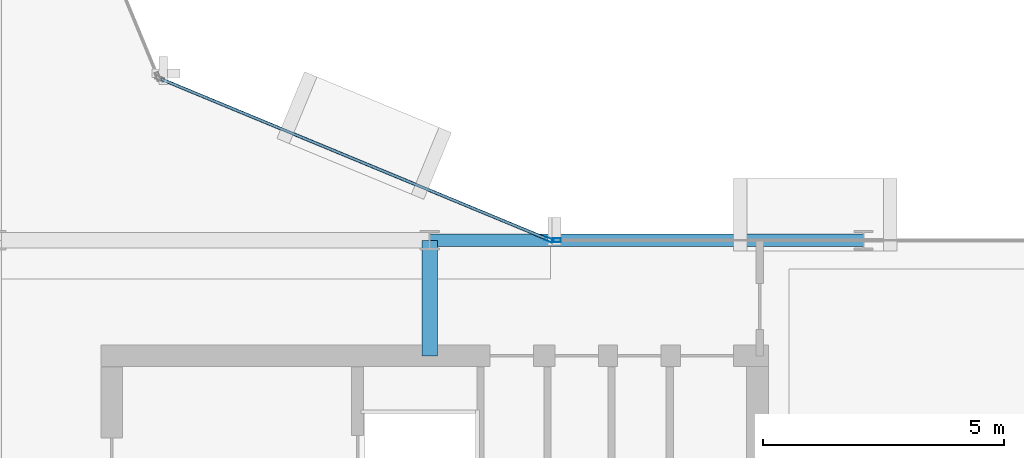
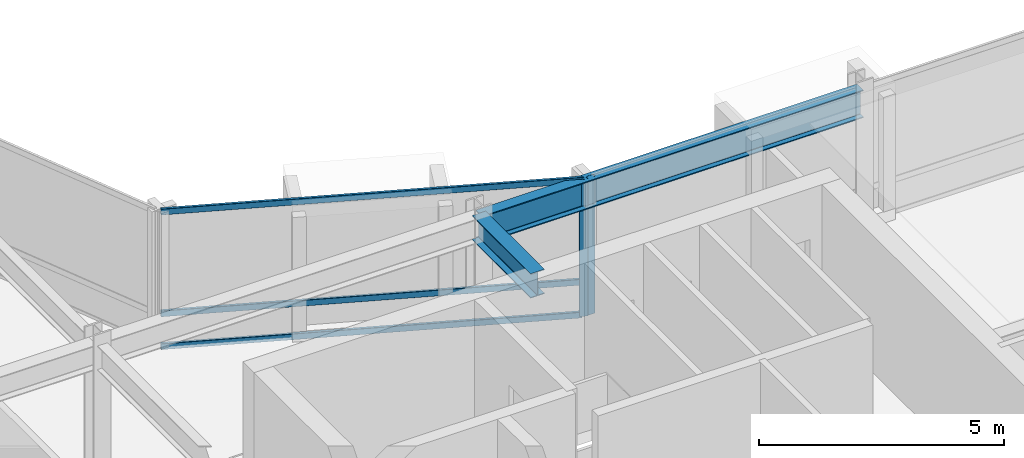
# One storey, part 12 of 27: 5 members, 2 beams, 2 elements without a shape of their own.
"""IFC4 building model written with IfcOpenShell, lengths in metres."""

from ifc_helpers import new_model, si_unit, direction, frame, origin, origin_2d, place, context, subcontext, project, spatial, hollow_rectangle, i_section, extrude, material, layer, layer_set, material_profile, profile_set, type_object, element, aggregate, save


model = new_model("IFC4")

# Units and contexts
model_context = context("Model", 3, precision=1e-05, world=origin(), true_north=direction((0.0, 1.0)))
body_context = subcontext(model_context, "Body", "Model", "MODEL_VIEW")
ifc_project = project(units=[si_unit("LENGTHUNIT", "METRE"), si_unit("AREAUNIT", "SQUARE_METRE"), si_unit("VOLUMEUNIT", "CUBIC_METRE"), si_unit("PLANEANGLEUNIT", "RADIAN"), si_unit("MASSUNIT", "GRAM", prefix="KILO")], contexts=[model_context])

# Site, building, storey
site_placement = place(None, origin())
site = spatial("IfcSite", under=ifc_project, at=site_placement, CompositionType="ELEMENT")
building_placement = place(site_placement, origin())
building = spatial("IfcBuilding", under=site, at=building_placement, Name="Solvaryn Broadcast Tower", CompositionType="ELEMENT")
storey_placement = place(building_placement, frame((0.0, 0.0, 228.39990234375)))
storey = spatial("IfcBuildingStorey", under=building, at=storey_placement, Name="L57", CompositionType="ELEMENT", Elevation=228.39990234375)

# Beams
ifc_material_1 = material(Name="Steel ASTM A992 Grade 50", Category="steel")
ifc_material_profile_1 = material_profile(ifc_material_1, i_section(OverallWidth=0.323974609375, OverallDepth=0.611083984375, WebThickness=0.0126953125, FlangeThickness=0.01904296875, FilletRadius=0.014892578125, at=origin_2d()))
ifc_profile_set_1 = profile_set([ifc_material_profile_1], Name="Steel ASTM A992 Grade 50")
beam_type_1 = type_object("IfcBeamType", Name="BM-B1-W24X104", PredefinedType="BEAM", material=ifc_profile_set_1)
beam_1_placement = place(storey_placement, frame((36.0, 24.60009765625, 3.114501953125), z_axis=(0.0, 1.0, 0.0), x_axis=(-1.0, 0.0, 0.0)))
element("IfcBeam", 1, at=beam_1_placement, inside=storey, type_object=beam_type_1, Name="L57 Core Tie Beam CTE2", PredefinedType="BEAM", context=body_context, shape_type="SweptSolid", body=[
    extrude(i_section(OverallWidth=0.323974609375, OverallDepth=0.611083984375, WebThickness=0.0126953125, FlangeThickness=0.01904296875, FilletRadius=0.014892578125, at=origin_2d()), origin(), (0.0, 0.0, 1.0), 2.39990234375),
])
ifc_material_2 = material(Name="Steel ASTM A992 Grade 50", Category="steel")
ifc_material_profile_2 = material_profile(ifc_material_2, i_section(OverallWidth=0.256103515625, OverallDepth=0.693115234375, WebThickness=0.014404296875, FlangeThickness=0.023681640625, FilletRadius=0.01611328125, at=origin_2d()))
ifc_profile_set_2 = profile_set([ifc_material_profile_2], Name="Steel ASTM A992 Grade 50")
beam_type_2 = type_object("IfcBeamType", Name="BM-SP3-W27X114", PredefinedType="USERDEFINED", material=ifc_profile_set_2)
beam_2_placement = place(storey_placement, frame((36.0, 27.0, 3.073486328125), z_axis=(1.0, 0.0, 0.0), x_axis=(0.0, 1.0, 0.0)))
element("IfcBeam", 2, at=beam_2_placement, inside=storey, type_object=beam_type_2, Name="L57 Spandrel Beam X (36-45 @ Y=27)", ObjectType="SPANDREL", PredefinedType="USERDEFINED", context=body_context, shape_type="SweptSolid", body=[
    extrude(i_section(OverallWidth=0.256103515625, OverallDepth=0.693115234375, WebThickness=0.014404296875, FlangeThickness=0.023681640625, FilletRadius=0.01611328125, at=origin_2d()), origin(), (0.0, 0.0, 1.0), 9.0),
])

# Curtain wall, member
ifc_material_3 = material(Name="Aluminium and Terracotta Unitised Curtain Wall", Category="masonry")
ifc_layer = layer(ifc_material_3, 0.199951171875)
ifc_layer_set = layer_set([ifc_layer], Name="CW-SYS2-LOWMID")
curtain_wall_type = type_object("IfcCurtainWallType", Name="CW-SYS2-LOWMID", PredefinedType="NOTDEFINED", material=ifc_layer_set)
curtain_wall_1_placement = place(storey_placement, origin())
curtain_wall_1 = element("IfcCurtainWall", 3, at=curtain_wall_1_placement, inside=storey, type_object=curtain_wall_type, Name="L57 Curtain Wall CN1", PredefinedType="NOTDEFINED")
ifc_material_4 = material(Name="Anodised Aluminium 6063-T6", Category="aluminium")
ifc_material_profile_3 = material_profile(ifc_material_4, hollow_rectangle(XDim=0.074951171875, YDim=0.179931640625, WallThickness=0.00390625, InnerFilletRadius=0.00390625, OuterFilletRadius=0.008056640625, at=origin_2d()))
ifc_profile_set_3 = profile_set([ifc_material_profile_3], Name="Anodised Aluminium 6063-T6")
member_type_1 = type_object("IfcMemberType", Name="CW-MUL-180", PredefinedType="MULLION", material=ifc_profile_set_3)
member_1_placement = place(storey_placement, frame((38.47216796875, 27.011474609375, 0.0), z_axis=(0.0, 0.0, 1.0), x_axis=(-0.382646127145, -0.923894983957, 0.0)))
member_1 = element("IfcMember", 4, at=member_1_placement, type_object=member_type_1, Name="CWS2 mullion 1", PredefinedType="MULLION", context=body_context, shape_type="SweptSolid", body=[
    extrude(hollow_rectangle(XDim=0.074951171875, YDim=0.179931640625, WallThickness=0.00390625, InnerFilletRadius=0.00390625, OuterFilletRadius=0.008056640625, at=origin_2d()), origin(), (0.0, 0.0, 1.0), 3.420166015625),
])

curtain_wall_2_placement = place(storey_placement, origin())
curtain_wall_2 = element("IfcCurtainWall", 5, at=curtain_wall_2_placement, inside=storey, type_object=curtain_wall_type, Name="L57 Curtain Wall IH", PredefinedType="NOTDEFINED")
member_2_placement = place(storey_placement, frame((38.6298828125, 27.0, 0.0), z_axis=(0.0, 0.0, 1.0), x_axis=(0.0, 1.0, 0.0)))
member_2 = element("IfcMember", 6, at=member_2_placement, type_object=member_type_1, Name="CWS2 mullion 1", PredefinedType="MULLION", context=body_context, shape_type="SweptSolid", body=[
    extrude(hollow_rectangle(XDim=0.074951171875, YDim=0.179931640625, WallThickness=0.00390625, InnerFilletRadius=0.00390625, OuterFilletRadius=0.008056640625, at=origin_2d()), origin(), (0.0, 0.0, 1.0), 3.420166015625),
])
aggregate(curtain_wall_2, [member_2])

# Member
ifc_material_5 = material(Name="Anodised Aluminium 6063-T6", Category="aluminium")
ifc_material_profile_4 = material_profile(ifc_material_5, hollow_rectangle(XDim=0.06494140625, YDim=0.14990234375, WallThickness=0.00390625, InnerFilletRadius=0.00390625, OuterFilletRadius=0.008056640625, at=origin_2d()))
ifc_profile_set_4 = profile_set([ifc_material_profile_4], Name="Anodised Aluminium 6063-T6")
member_type_2 = type_object("IfcMemberType", Name="CW-TRN-150", PredefinedType="USERDEFINED", material=ifc_profile_set_4)
member_3_placement = place(storey_placement, frame((38.444580078125, 27.02294921875, 0.030029296875), z_axis=(-0.923899282177, 0.382635748975, 0.0), x_axis=(-0.382635748975, -0.923899282177, 0.0)))
member_3 = element("IfcMember", 7, at=member_3_placement, type_object=member_type_2, Name="CWS2 transom 1.1", ObjectType="TRANSOM", PredefinedType="USERDEFINED", context=body_context, shape_type="SweptSolid", body=[
    extrude(hollow_rectangle(XDim=0.06494140625, YDim=0.14990234375, WallThickness=0.00390625, InnerFilletRadius=0.00390625, OuterFilletRadius=0.008056640625, at=origin_2d()), origin(), (0.0, 0.0, 1.0), 8.681884765625),
])

member_4_placement = place(storey_placement, frame((38.444580078125, 27.02294921875, 0.85009765625), z_axis=(-0.923899282177, 0.382635748975, 0.0), x_axis=(-0.382635748975, -0.923899282177, 0.0)))
member_4 = element("IfcMember", 8, at=member_4_placement, type_object=member_type_2, Name="CWS2 transom 1.2", ObjectType="TRANSOM", PredefinedType="USERDEFINED", context=body_context, shape_type="SweptSolid", body=[
    extrude(hollow_rectangle(XDim=0.06494140625, YDim=0.14990234375, WallThickness=0.00390625, InnerFilletRadius=0.00390625, OuterFilletRadius=0.008056640625, at=origin_2d()), origin(), (0.0, 0.0, 1.0), 8.681884765625),
])

member_5_placement = place(storey_placement, frame((38.444580078125, 27.02294921875, 3.39013671875), z_axis=(-0.923899282177, 0.382635748975, 0.0), x_axis=(-0.382635748975, -0.923899282177, 0.0)))
member_5 = element("IfcMember", 9, at=member_5_placement, type_object=member_type_2, Name="CWS2 transom 1.3", ObjectType="TRANSOM", PredefinedType="USERDEFINED", context=body_context, shape_type="SweptSolid", body=[
    extrude(hollow_rectangle(XDim=0.06494140625, YDim=0.14990234375, WallThickness=0.00390625, InnerFilletRadius=0.00390625, OuterFilletRadius=0.008056640625, at=origin_2d()), origin(), (0.0, 0.0, 1.0), 8.681884765625),
])

aggregate(curtain_wall_1, [member_1, member_3, member_4, member_5])

save(model, "model.ifc")
